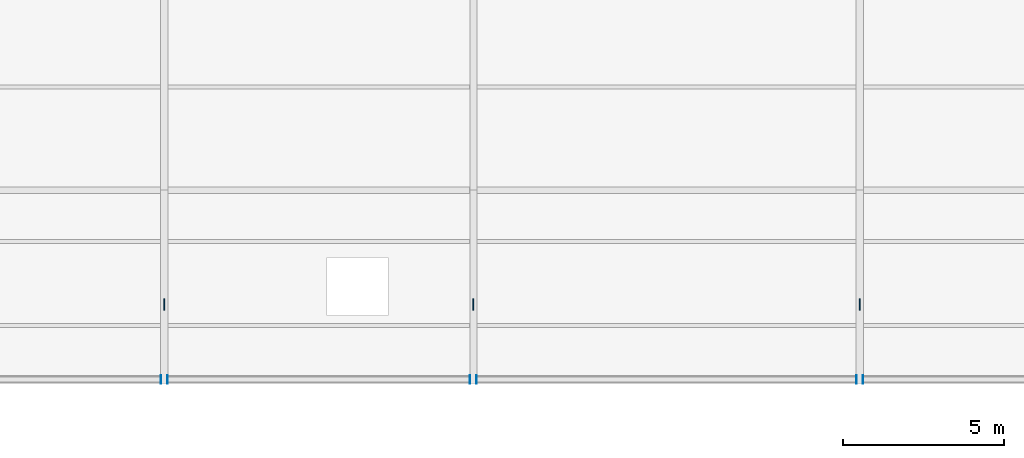
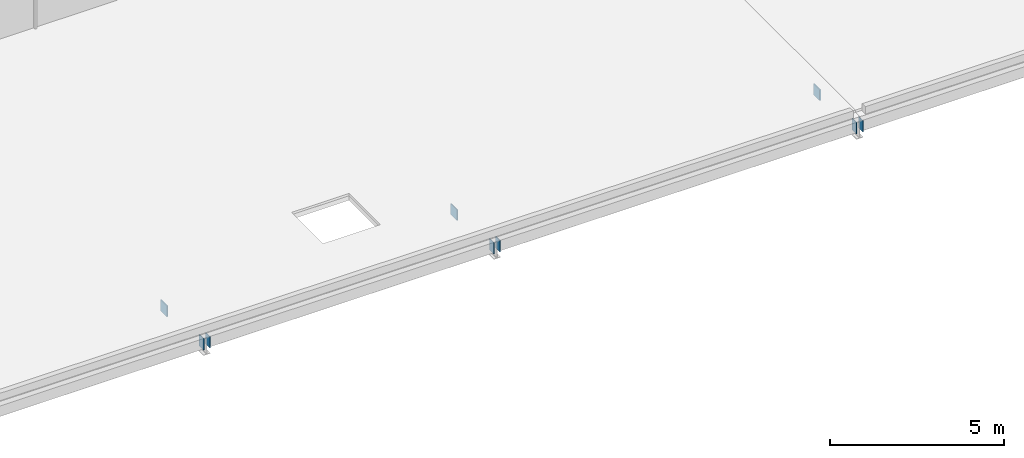
# One storey, part 131 of 159: 9 plates.
"""IFC4 building model written with IfcOpenShell, lengths in metres."""

from ifc_helpers import new_model, si_unit, direction, frame, origin, origin_2d, place, context, subcontext, project, spatial, rectangle, extrude, material, layer, layer_set, type_object, element, save


model = new_model("IFC4")

# Units and contexts
model_context = context("Model", 3, precision=1e-05, world=origin(), true_north=direction((0.0, 1.0)))
body_context = subcontext(model_context, "Body", "Model", "MODEL_VIEW")
ifc_project = project(units=[si_unit("LENGTHUNIT", "METRE"), si_unit("AREAUNIT", "SQUARE_METRE"), si_unit("VOLUMEUNIT", "CUBIC_METRE"), si_unit("PLANEANGLEUNIT", "RADIAN"), si_unit("MASSUNIT", "GRAM", prefix="KILO")], contexts=[model_context])

# Site, building, storey
site_placement = place(None, origin())
site = spatial("IfcSite", under=ifc_project, at=site_placement, CompositionType="ELEMENT")
building_placement = place(site_placement, origin())
building = spatial("IfcBuilding", under=site, at=building_placement, Name="Merenkruunu Market Hall", CompositionType="ELEMENT")
storey_placement = place(building_placement, frame((0.0, 0.0, 5.39990234375)))
storey = spatial("IfcBuildingStorey", under=building, at=storey_placement, Name="L01", CompositionType="ELEMENT", Elevation=5.39990234375)

# Plates
ifc_material = material(Name="Steel S355ML", Category="steel")
ifc_layer_1 = layer(ifc_material, 0.02001953125)
ifc_layer_set_1 = layer_set([ifc_layer_1], Name="Steel S355ML")
plate_type_1 = type_object("IfcPlateType", Name="Truss Gusset Or Cap Plate CP07", PredefinedType="USERDEFINED", material=ifc_layer_set_1)
for number, where, z_axis, x_axis, name in (
    (1, (67.096923828125, 0.1201171875, 0.03515625), (0.0, 0.0, 1.0), (1.0, 0.0, 0.0), "PLT-V6-ENDCAP-14"),
    (2, (67.302978515625, 0.1201171875, 0.03515625), (0.0, 0.0, 1.0), (1.0, 0.0, 0.0), "PLT-V6-ENDCAP-15"),
    (3, (76.697021484375, 0.1201171875, 0.03515625), (0.0, 0.0, 1.0), (1.0, 0.0, 0.0), "PLT-V6-ENDCAP-16"),
    (4, (76.903076171875, 0.1201171875, 0.03515625), (0.0, 0.0, 1.0), (1.0, 0.0, 0.0), "PLT-V6-ENDCAP-17"),
    (5, (88.697021484375, 0.1201171875, 0.03515625), (0.0, 0.0, 1.0), (1.0, 0.0, 0.0), "PLT-V6-ENDCAP-18"),
    (6, (88.903076171875, 0.1201171875, 0.03515625), (0.0, 0.0, 1.0), (1.0, 0.0, 0.0), "PLT-V6-ENDCAP-19"),
):
    element("IfcPlate", number, at=place(storey_placement, frame(where, z_axis=z_axis, x_axis=x_axis)), inside=storey, type_object=plate_type_1, Name=name, ObjectType="GUSSET_PLATE", PredefinedType="USERDEFINED", context=body_context, shape_type="SweptSolid", body=[
        extrude(rectangle(XDim=0.02001953125, YDim=0.260009765625, at=origin_2d()), origin(), (0.0, 0.0, 1.0), 0.39990234375),
    ])
ifc_layer_2 = layer(ifc_material, 0.035888671875)
ifc_layer_set_2 = layer_set([ifc_layer_2], Name="Steel S355ML")
plate_type_2 = type_object("IfcPlateType", Name="Truss Gusset Or Cap Plate CP08", PredefinedType="USERDEFINED", material=ifc_layer_set_2)
for number, where, z_axis, x_axis, name in (
    (7, (67.199951171875, 2.449951171875, -0.2099609375), (0.0, 0.0, 1.0), (1.0, 0.0, 0.0), "PLT-V6-STRUT-067-B"),
    (8, (76.800048828125, 2.449951171875, -0.2099609375), (0.0, 0.0, 1.0), (1.0, 0.0, 0.0), "PLT-V6-STRUT-077-B"),
    (9, (88.800048828125, 2.449951171875, -0.2099609375), (0.0, 0.0, 1.0), (1.0, 0.0, 0.0), "PLT-V6-STRUT-089-B"),
):
    element("IfcPlate", number, at=place(storey_placement, frame(where, z_axis=z_axis, x_axis=x_axis)), inside=storey, type_object=plate_type_2, Name=name, ObjectType="GUSSET_PLATE", PredefinedType="USERDEFINED", context=body_context, shape_type="SweptSolid", body=[
        extrude(rectangle(XDim=0.035888671875, YDim=0.360107421875, at=origin_2d()), origin(), (0.0, 0.0, 1.0), 0.3798828125),
    ])

save(model, "model.ifc")
